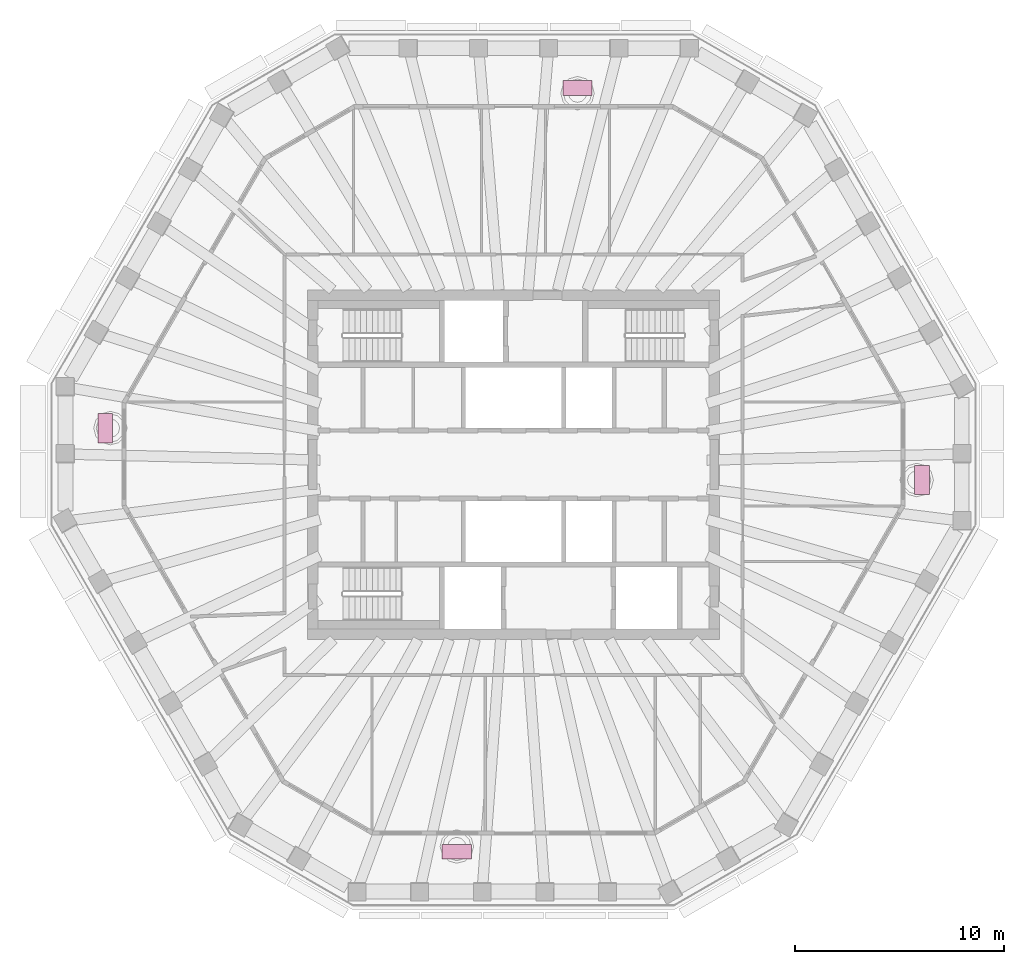
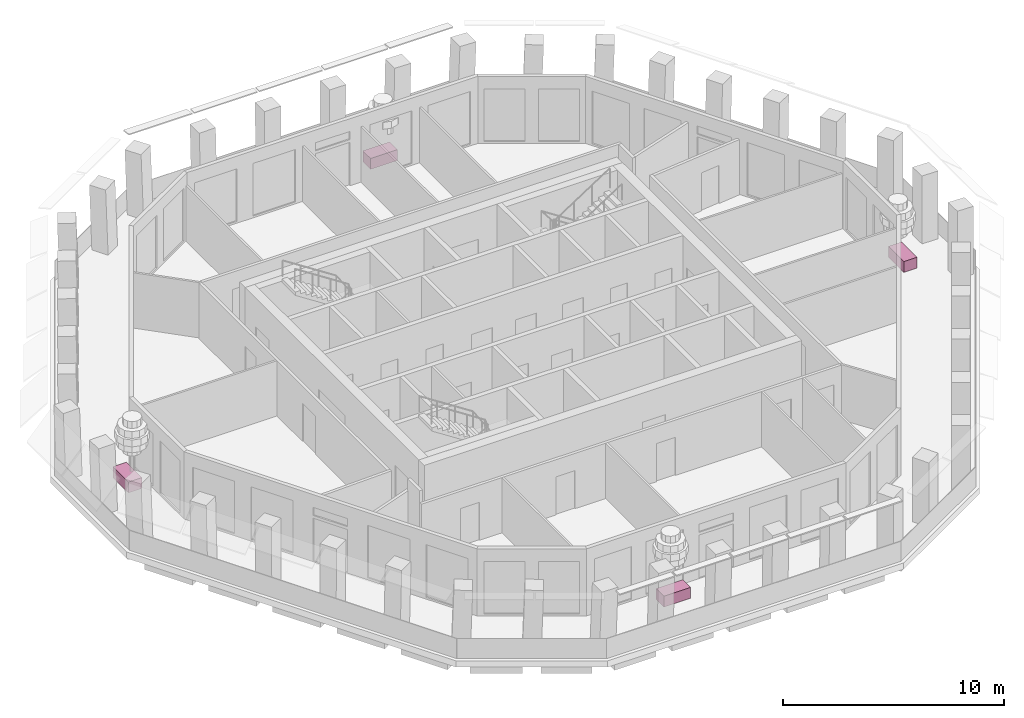
# One storey, part 10 of 11: 4 furniture elements.
"""IFC4 building model written with IfcOpenShell, lengths in metres."""

from ifc_helpers import new_model, si_unit, direction, frame, origin, origin_2d, place, context, subcontext, project, spatial, rectangle, extrude, material, type_object, element, save


model = new_model("IFC4")

# Units and contexts
model_context = context("Model", 3, precision=1e-05, world=origin(), true_north=direction((0.0, 1.0)))
body_context = subcontext(model_context, "Body", "Model", "MODEL_VIEW")
ifc_project = project(units=[si_unit("LENGTHUNIT", "METRE"), si_unit("AREAUNIT", "SQUARE_METRE"), si_unit("VOLUMEUNIT", "CUBIC_METRE"), si_unit("PLANEANGLEUNIT", "RADIAN"), si_unit("MASSUNIT", "GRAM", prefix="KILO")], contexts=[model_context])

# Site, building, storey
site_placement = place(None, origin())
site = spatial("IfcSite", under=ifc_project, at=site_placement, CompositionType="ELEMENT")
building_placement = place(site_placement, origin())
building = spatial("IfcBuilding", under=site, at=building_placement, Name="Frailejon Research Tower", CompositionType="ELEMENT")
storey_placement = place(building_placement, frame((0.0, 0.0, 324.60009765625)))
storey = spatial("IfcBuildingStorey", under=building, at=storey_placement, Name="L72", CompositionType="ELEMENT", Elevation=324.60009765625)

# Furniture
ifc_material = material(Name="Precast concrete C30/37 planter, terracotta", Category="masonry")
furniture_type = type_object("IfcFurnitureType", Name="Loggia planter 1400x700", AssemblyPlace="NOTDEFINED", PredefinedType="USERDEFINED", material=ifc_material)
for number, where, z_axis, x_axis, name in (
    (1, (19.517822265625, -0.738525390625, -0.000244140625), (0.0, 0.0, 1.0), (0.0, 1.0, 0.0), "Planter L72"),
    (2, (3.0576171875, 18.0, -0.000244140625), (0.0, 0.0, 1.0), (-1.0, 0.0, 0.0), "Planter L72"),
    (3, (-19.517822265625, 1.744140625, -0.000244140625), (0.0, 0.0, 1.0), (0.0, -1.0, 0.0), "Planter L72"),
    (4, (-2.70947265625, -18.502685546875, -0.000244140625), (0.0, 0.0, 1.0), (1.0, 0.0, 0.0), "Planter L72"),
):
    element("IfcFurniture", number, at=place(storey_placement, frame(where, z_axis=z_axis, x_axis=x_axis)), inside=storey, type_object=furniture_type, Name=name, ObjectType="PLANTER", PredefinedType="USERDEFINED", context=body_context, shape_type="SweptSolid", body=[
        extrude(rectangle(XDim=1.39990234375, YDim=0.699951171875, at=origin_2d()), origin(), (0.0, 0.0, 1.0), 0.60009765625),
    ])

save(model, "model.ifc")
